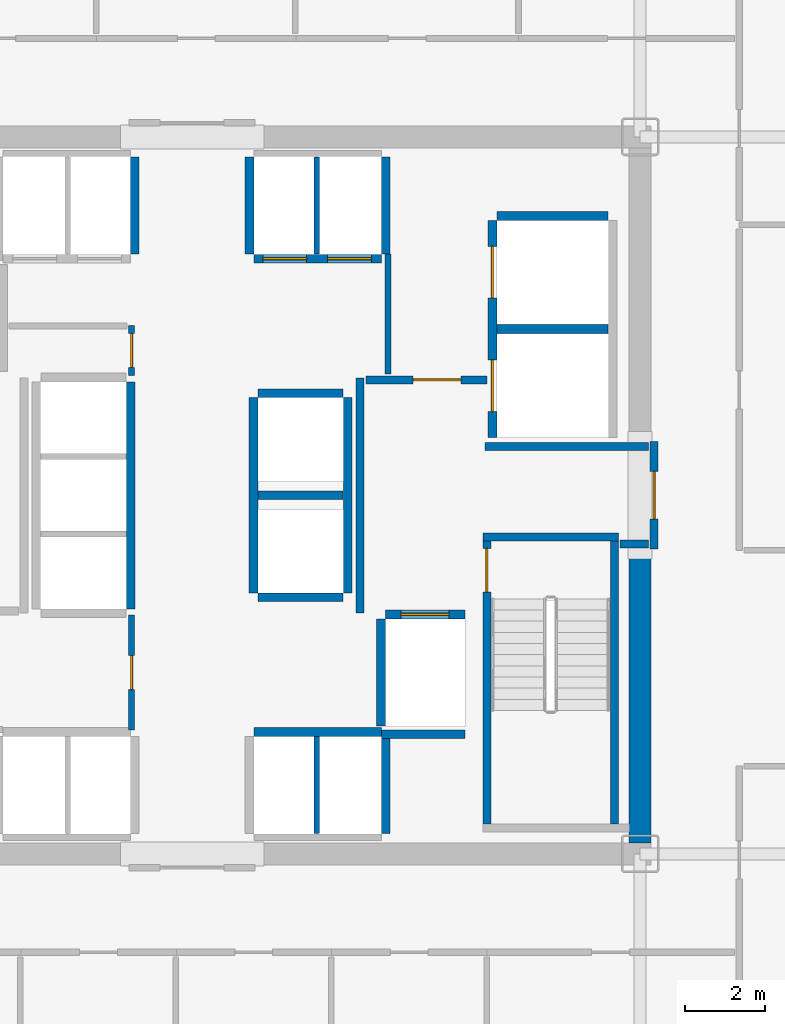
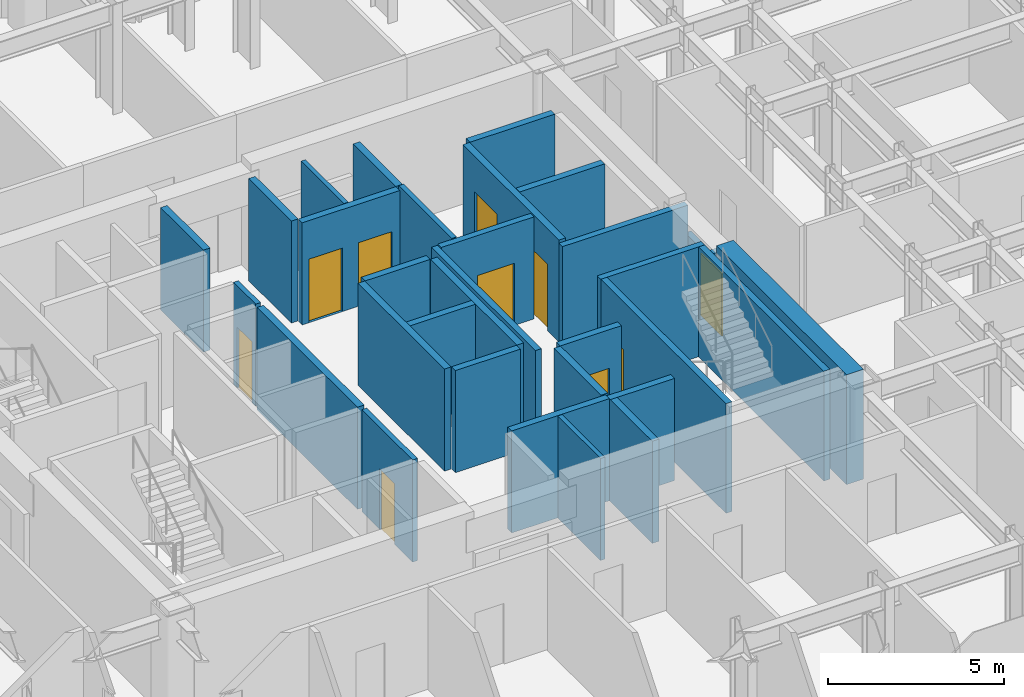
# One storey, part 22 of 25: 32 walls, 10 doors, 10 openings.
"""IFC4 building model written with IfcOpenShell, lengths in metres."""

from ifc_helpers import new_model, si_unit, direction, frame, frame_2d, origin, place, context, subcontext, project, spatial, rectangle, extrude, source, transform, mapped, material, layer, layer_set, type_object, element, fill, save


model = new_model("IFC4")

# Units and contexts
model_context = context("Model", 3, precision=1e-05, world=origin(), true_north=direction((0.0, 1.0)))
body_context = subcontext(model_context, "Body", "Model", "MODEL_VIEW")
ifc_project = project(units=[si_unit("LENGTHUNIT", "METRE"), si_unit("AREAUNIT", "SQUARE_METRE"), si_unit("VOLUMEUNIT", "CUBIC_METRE"), si_unit("PLANEANGLEUNIT", "RADIAN"), si_unit("MASSUNIT", "GRAM", prefix="KILO")], contexts=[model_context])

# Site, building, storey
site_placement = place(None, origin())
site = spatial("IfcSite", under=ifc_project, at=site_placement, CompositionType="ELEMENT")
building_placement = place(site_placement, origin())
building = spatial("IfcBuilding", under=site, at=building_placement, Name="Nefas-Gora Pilgrimage Tower", CompositionType="ELEMENT")
storey_placement = place(building_placement, frame((0.0, 0.0, 98.39990234375)))
storey = spatial("IfcBuildingStorey", under=building, at=storey_placement, Name="L23", CompositionType="ELEMENT", Elevation=98.39990234375)

# Walls
ifc_material_1 = material(Name="Concrete C60/75", Category="concrete")
ifc_layer_1 = layer(ifc_material_1, 0.550048828125)
ifc_layer_set_1 = layer_set([ifc_layer_1], Name="Concrete C60/75")
wall_type_1 = type_object("IfcWallType", Name="SW-CORE-550", PredefinedType="SHEAR", material=ifc_layer_set_1)
shared_shape_1 = source(origin(), body_context, "Body", "SweptSolid", [
    extrude(rectangle(XDim=7.375, YDim=0.550048828125, at=frame_2d((3.6875, 0.0))), origin(), (0.0, 0.0, 1.0), 3.800048828125),
])
wall_1_placement = place(storey_placement, frame((11.25, -8.72509765625, 0.0), z_axis=(0.0, 0.0, 1.0), x_axis=(0.0, 1.0, 0.0)))
element("IfcWall", 1, at=wall_1_placement, inside=storey, type_object=wall_type_1, Name="L23 Core Shear Wall E-South", PredefinedType="SHEAR", context=body_context, shape_type="MappedRepresentation", body=[
    mapped(shared_shape_1, transform((0.0, 0.0, 0.0), x_axis=(1.0, 0.0, 0.0), y_axis=(0.0, 1.0, 0.0), z_axis=(0.0, 0.0, 1.0), scale=1.0)),
])
ifc_material_2 = material(Name="Concrete C45/55", Category="concrete")
ifc_layer_2 = layer(ifc_material_2, 0.199951171875)
ifc_layer_set_2 = layer_set([ifc_layer_2], Name="Concrete C45/55")
wall_type_2 = type_object("IfcWallType", Name="IW-STAIR-200", PredefinedType="SOLIDWALL", material=ifc_layer_set_2)
shared_shape_2 = source(origin(), body_context, "Body", "SweptSolid", [
    extrude(rectangle(XDim=3.39990234375, YDim=0.199951171875, at=frame_2d((1.699951171875, 0.0))), origin(), (0.0, 0.0, 1.0), 3.800048828125),
])
wall_2_placement = place(storey_placement, frame((7.300048828125, -1.050048828125, 0.0), z_axis=(0.0, 0.0, 1.0), x_axis=(1.0, 0.0, 0.0)))
element("IfcWall", 2, at=wall_2_placement, inside=storey, type_object=wall_type_2, Name="L23 Stairwell Shear Wall ST-02-near", PredefinedType="SOLIDWALL", context=body_context, shape_type="MappedRepresentation", body=[
    mapped(shared_shape_2, transform((0.0, 0.0, 0.0), x_axis=(1.0, 0.0, 0.0), y_axis=(0.0, 1.0, 0.0), z_axis=(0.0, 0.0, 1.0), scale=1.0)),
])

# Wall, opening, door
shared_shape_3 = source(origin(), body_context, "Body", "SweptSolid", [
    extrude(rectangle(XDim=7.10009765625, YDim=0.199951171875, at=frame_2d((3.550048828125, 0.0))), origin(), (0.0, 0.0, 1.0), 3.800048828125),
])
wall_3_placement = place(storey_placement, frame((7.39990234375, -1.14990234375, 0.0), z_axis=(0.0, 0.0, 1.0), x_axis=(0.0, -1.0, 0.0)))
wall_3 = element("IfcWall", 3, at=wall_3_placement, inside=storey, type_object=wall_type_2, Name="L23 Stairwell Shear Wall ST-02-left", PredefinedType="SOLIDWALL", context=body_context, shape_type="MappedRepresentation", body=[
    mapped(shared_shape_3, transform((0.0, 0.0, 0.0), x_axis=(1.0, 0.0, 0.0), y_axis=(0.0, 1.0, 0.0), z_axis=(0.0, 0.0, 1.0), scale=1.0)),
])
opening_1_placement = place(wall_3_placement, frame((0.179931640625, 0.0, 0.0)))
opening_1 = element("IfcOpeningElement", 4, at=opening_1_placement, cuts=wall_3, Name="Opening ID-ST1", PredefinedType="OPENING", context=body_context, shape_type="SweptSolid", body=[
    extrude(rectangle(XDim=1.10009765625, YDim=2.14990234375, at=frame_2d((0.550048828125, 1.074951171875))), frame((0.0, 0.10986328125, 0.0), z_axis=(0.0, -1.0, 0.0), x_axis=(1.0, 0.0, 0.0)), (0.0, 0.0, 1.0), 0.219970703125),
])
ifc_material_3 = material(Name="Painted galvanised steel fire stair door", Category="steel")
door_type_1 = type_object("IfcDoorType", Name="DR-INT-STAIR-1100", OperationType="NOTDEFINED", PredefinedType="DOOR", material=ifc_material_3)
shared_shape_4 = source(origin(), body_context, "Body", "SweptSolid", [
    extrude(rectangle(XDim=1.10009765625, YDim=2.14990234375, at=frame_2d((0.550048828125, 1.074951171875))), frame((0.0, 0.02490234375, 0.0), z_axis=(0.0, -1.0, 0.0), x_axis=(1.0, 0.0, 0.0)), (0.0, 0.0, 1.0), 0.050048828125),
])
door_1_placement = place(opening_1_placement, origin())
door_1 = element("IfcDoor", 5, at=door_1_placement, inside=storey, type_object=door_type_1, Name="L23 Protected Exit Stair Door ST-02", OperationType="SINGLE_SWING_RIGHT", OverallHeight=2.14990234375, OverallWidth=1.10009765625, PredefinedType="DOOR", context=body_context, shape_type="MappedRepresentation", body=[
    mapped(shared_shape_4, transform((0.0, 0.0, 0.0), x_axis=(1.0, 0.0, 0.0), y_axis=(0.0, 1.0, 0.0), z_axis=(0.0, 0.0, 1.0), scale=1.0)),
])
fill(opening_1, door_1)

# Wall
wall_4_placement = place(storey_placement, frame((10.60009765625, -1.14990234375, 0.0), z_axis=(0.0, 0.0, 1.0), x_axis=(0.0, -1.0, 0.0)))
element("IfcWall", 6, at=wall_4_placement, inside=storey, type_object=wall_type_2, Name="L23 Stairwell Shear Wall ST-02-right", PredefinedType="SOLIDWALL", context=body_context, shape_type="MappedRepresentation", body=[
    mapped(shared_shape_3, transform((0.0, 0.0, 0.0), x_axis=(1.0, 0.0, 0.0), y_axis=(0.0, 1.0, 0.0), z_axis=(0.0, 0.0, 1.0), scale=1.0)),
])

# Wall, opening, door
ifc_material_4 = material(Name="Concrete C40/50", Category="concrete")
ifc_layer_3 = layer(ifc_material_4, 0.219970703125)
ifc_layer_set_3 = layer_set([ifc_layer_3], Name="Concrete C40/50")
wall_type_3 = type_object("IfcWallType", Name="IW-SHAFT-220", PredefinedType="SOLIDWALL", material=ifc_layer_set_3)
shared_shape_5 = source(origin(), body_context, "Body", "SweptSolid", [
    extrude(rectangle(XDim=2.0, YDim=0.219970703125, at=frame_2d((1.0, 0.0))), origin(), (0.0, 0.0, 1.0), 3.53515625),
])
wall_5_placement = place(storey_placement, frame((6.85009765625, -2.989990234375, 0.0), z_axis=(0.0, 0.0, 1.0), x_axis=(-1.0, 0.0, 0.0)))
wall_5 = element("IfcWall", 7, at=wall_5_placement, inside=storey, type_object=wall_type_3, Name="L23 Hoistway Wall FFL-02-N", PredefinedType="SOLIDWALL", context=body_context, shape_type="MappedRepresentation", body=[
    mapped(shared_shape_5, transform((0.0, 0.0, 0.0), x_axis=(1.0, 0.0, 0.0), y_axis=(0.0, 1.0, 0.0), z_axis=(0.0, 0.0, 1.0), scale=1.0)),
])
opening_2_placement = place(wall_5_placement, frame((0.39990234375, 0.0, 0.0)))
opening_2 = element("IfcOpeningElement", 8, at=opening_2_placement, cuts=wall_5, Name="Opening LD-FF", PredefinedType="OPENING", context=body_context, shape_type="SweptSolid", body=[
    extrude(rectangle(XDim=1.199951171875, YDim=2.199951171875, at=frame_2d((0.60009765625, 1.10009765625))), frame((0.0, 0.119873046875, 0.0), z_axis=(0.0, -1.0, 0.0), x_axis=(1.0, 0.0, 0.0)), (0.0, 0.0, 1.0), 0.239990234375),
])
ifc_material_5 = material(Name="Fire-service sliding lift landing door")
door_type_2 = type_object("IfcDoorType", Name="DR-LIFT-FSAE-1200", OperationType="SLIDING_TO_LEFT", PredefinedType="DOOR", material=ifc_material_5)
shared_shape_6 = source(origin(), body_context, "Body", "SweptSolid", [
    extrude(rectangle(XDim=1.199951171875, YDim=2.199951171875, at=frame_2d((0.60009765625, 1.10009765625))), frame((0.0, 0.02490234375, 0.0), z_axis=(0.0, -1.0, 0.0), x_axis=(1.0, 0.0, 0.0)), (0.0, 0.0, 1.0), 0.050048828125),
])
door_2_placement = place(opening_2_placement, origin())
door_2 = element("IfcDoor", 9, at=door_2_placement, inside=storey, type_object=door_type_2, Name="L23 Sliding Lift Landing Door FFL-02", OperationType="SLIDING_TO_LEFT", OverallHeight=2.199951171875, OverallWidth=1.199951171875, PredefinedType="DOOR", context=body_context, shape_type="MappedRepresentation", body=[
    mapped(shared_shape_6, transform((0.0, 0.0, 0.0), x_axis=(1.0, 0.0, 0.0), y_axis=(0.0, 1.0, 0.0), z_axis=(0.0, 0.0, 1.0), scale=1.0)),
])
fill(opening_2, door_2)

# Wall
shared_shape_7 = source(origin(), body_context, "Body", "SweptSolid", [
    extrude(rectangle(XDim=2.679931640625, YDim=0.219970703125, at=frame_2d((1.33984375, 0.0))), origin(), (0.0, 0.0, 1.0), 3.53515625),
])
wall_6_placement = place(storey_placement, frame((4.739990234375, -3.110107421875, 0.0), z_axis=(0.0, 0.0, 1.0), x_axis=(0.0, -1.0, 0.0)))
element("IfcWall", 10, at=wall_6_placement, inside=storey, type_object=wall_type_3, Name="L23 Hoistway Wall FFL-02-W", PredefinedType="SOLIDWALL", context=body_context, shape_type="MappedRepresentation", body=[
    mapped(shared_shape_7, transform((0.0, 0.0, 0.0), x_axis=(1.0, 0.0, 0.0), y_axis=(0.0, 1.0, 0.0), z_axis=(0.0, 0.0, 1.0), scale=1.0)),
])

# Wall, openings, doors
shared_shape_8 = source(origin(), body_context, "Body", "SweptSolid", [
    extrude(rectangle(XDim=5.449951171875, YDim=0.219970703125, at=frame_2d((2.72509765625, 0.0))), origin(), (0.0, 0.0, 1.0), 3.53515625),
])
wall_7_placement = place(storey_placement, frame((7.5400390625, 6.89990234375, 0.0), z_axis=(0.0, 0.0, 1.0), x_axis=(0.0, -1.0, 0.0)))
wall_7 = element("IfcWall", 11, at=wall_7_placement, inside=storey, type_object=wall_type_3, Name="L23 Hoistway Wall SL-01-02-W", PredefinedType="SOLIDWALL", context=body_context, shape_type="MappedRepresentation", body=[
    mapped(shared_shape_8, transform((0.0, 0.0, 0.0), x_axis=(1.0, 0.0, 0.0), y_axis=(0.0, 1.0, 0.0), z_axis=(0.0, 0.0, 1.0), scale=1.0)),
])
opening_3_placement = place(wall_7_placement, frame((3.5, 0.0, 0.0)))
opening_3 = element("IfcOpeningElement", 12, at=opening_3_placement, cuts=wall_7, Name="Opening LD-SV", PredefinedType="OPENING", context=body_context, shape_type="SweptSolid", body=[
    extrude(rectangle(XDim=1.300048828125, YDim=2.300048828125, at=frame_2d((0.64990234375, 1.14990234375))), frame((0.0, 0.119873046875, 0.0), z_axis=(0.0, -1.0, 0.0), x_axis=(1.0, 0.0, 0.0)), (0.0, 0.0, 1.0), 0.239990234375),
])
opening_4_placement = place(wall_7_placement, frame((0.64990234375, 0.0, 0.0)))
opening_4 = element("IfcOpeningElement", 13, at=opening_4_placement, cuts=wall_7, Name="Opening LD-SV", PredefinedType="OPENING", context=body_context, shape_type="SweptSolid", body=[
    extrude(rectangle(XDim=1.300048828125, YDim=2.300048828125, at=frame_2d((0.64990234375, 1.14990234375))), frame((0.0, 0.119873046875, 0.0), z_axis=(0.0, -1.0, 0.0), x_axis=(1.0, 0.0, 0.0)), (0.0, 0.0, 1.0), 0.239990234375),
])
ifc_material_6 = material(Name="Heavy goods sliding lift landing door")
door_type_3 = type_object("IfcDoorType", Name="DR-LIFT-SERV-1300", OperationType="SLIDING_TO_RIGHT", PredefinedType="DOOR", material=ifc_material_6)
shared_shape_9 = source(origin(), body_context, "Body", "SweptSolid", [
    extrude(rectangle(XDim=1.300048828125, YDim=2.300048828125, at=frame_2d((0.64990234375, 1.14990234375))), frame((0.0, 0.02490234375, 0.0), z_axis=(0.0, -1.0, 0.0), x_axis=(1.0, 0.0, 0.0)), (0.0, 0.0, 1.0), 0.050048828125),
])
door_3_placement = place(opening_3_placement, origin())
door_3 = element("IfcDoor", 14, at=door_3_placement, inside=storey, type_object=door_type_3, Name="L23 Sliding Lift Landing Door SL-01", OperationType="SLIDING_TO_RIGHT", OverallHeight=2.300048828125, OverallWidth=1.300048828125, PredefinedType="DOOR", context=body_context, shape_type="MappedRepresentation", body=[
    mapped(shared_shape_9, transform((0.0, 0.0, 0.0), x_axis=(1.0, 0.0, 0.0), y_axis=(0.0, 1.0, 0.0), z_axis=(0.0, 0.0, 1.0), scale=1.0)),
])
fill(opening_3, door_3)
door_4_placement = place(opening_4_placement, origin())
door_4 = element("IfcDoor", 15, at=door_4_placement, inside=storey, type_object=door_type_3, Name="L23 Sliding Lift Landing Door SL-02", OperationType="SLIDING_TO_RIGHT", OverallHeight=2.300048828125, OverallWidth=1.300048828125, PredefinedType="DOOR", context=body_context, shape_type="MappedRepresentation", body=[
    mapped(shared_shape_9, transform((0.0, 0.0, 0.0), x_axis=(1.0, 0.0, 0.0), y_axis=(0.0, 1.0, 0.0), z_axis=(0.0, 0.0, 1.0), scale=1.0)),
])
fill(opening_4, door_4)

# Walls
shared_shape_10 = source(origin(), body_context, "Body", "SweptSolid", [
    extrude(rectangle(XDim=2.780029296875, YDim=0.219970703125, at=frame_2d((1.39013671875, 0.0))), origin(), (0.0, 0.0, 1.0), 3.53515625),
])
for number, where, z_axis, x_axis, name in (
    (16, (7.659912109375, 4.175048828125, 0.0), (0.0, 0.0, 1.0), (1.0, 0.0, 0.0), "L23 Hoistway Wall SL-01-02-DIV"),
    (17, (10.43994140625, 7.010009765625, 0.0), (0.0, 0.0, 1.0), (-1.0, 0.0, 0.0), "L23 Hoistway Wall SL-02-N"),
):
    element("IfcWall", number, at=place(storey_placement, frame(where, z_axis=z_axis, x_axis=x_axis)), inside=storey, type_object=wall_type_3, Name=name, PredefinedType="SOLIDWALL", context=body_context, shape_type="MappedRepresentation", body=[
        mapped(shared_shape_10, transform((0.0, 0.0, 0.0), x_axis=(1.0, 0.0, 0.0), y_axis=(0.0, 1.0, 0.0), z_axis=(0.0, 0.0, 1.0), scale=1.0)),
    ])

# Wall, openings, doors
shared_shape_11 = source(origin(), body_context, "Body", "SweptSolid", [
    extrude(rectangle(XDim=3.199951171875, YDim=0.219970703125, at=frame_2d((1.60009765625, 0.0))), origin(), (0.0, 0.0, 1.0), 3.53515625),
])
wall_8_placement = place(storey_placement, frame((1.550048828125, 5.93994140625, 0.0), z_axis=(0.0, 0.0, 1.0), x_axis=(1.0, 0.0, 0.0)))
wall_8 = element("IfcWall", 18, at=wall_8_placement, inside=storey, type_object=wall_type_3, Name="L23 Hoistway Wall PL1-E-S", PredefinedType="SOLIDWALL", context=body_context, shape_type="MappedRepresentation", body=[
    mapped(shared_shape_11, transform((0.0, 0.0, 0.0), x_axis=(1.0, 0.0, 0.0), y_axis=(0.0, 1.0, 0.0), z_axis=(0.0, 0.0, 1.0), scale=1.0)),
])
opening_5_placement = place(wall_8_placement, frame((0.22509765625, 0.0, 0.0)))
opening_5 = element("IfcOpeningElement", 19, at=opening_5_placement, cuts=wall_8, Name="Opening LD-01", PredefinedType="OPENING", context=body_context, shape_type="SweptSolid", body=[
    extrude(rectangle(XDim=1.10009765625, YDim=2.199951171875, at=frame_2d((0.550048828125, 1.10009765625))), frame((0.0, 0.119873046875, 0.0), z_axis=(0.0, -1.0, 0.0), x_axis=(1.0, 0.0, 0.0)), (0.0, 0.0, 1.0), 0.239990234375),
])
opening_6_placement = place(wall_8_placement, frame((1.85009765625, 0.0, 0.0)))
opening_6 = element("IfcOpeningElement", 20, at=opening_6_placement, cuts=wall_8, Name="Opening LD-01", PredefinedType="OPENING", context=body_context, shape_type="SweptSolid", body=[
    extrude(rectangle(XDim=1.10009765625, YDim=2.199951171875, at=frame_2d((0.550048828125, 1.10009765625))), frame((0.0, 0.119873046875, 0.0), z_axis=(0.0, -1.0, 0.0), x_axis=(1.0, 0.0, 0.0)), (0.0, 0.0, 1.0), 0.239990234375),
])
ifc_material_7 = material(Name="Brushed stainless sliding lift landing door")
door_type_4 = type_object("IfcDoorType", Name="DR-LIFT-PASS-1100", OperationType="DOUBLE_DOOR_SLIDING", PredefinedType="DOOR", material=ifc_material_7)
shared_shape_12 = source(origin(), body_context, "Body", "SweptSolid", [
    extrude(rectangle(XDim=1.10009765625, YDim=2.199951171875, at=frame_2d((0.550048828125, 1.10009765625))), frame((0.0, 0.02490234375, 0.0), z_axis=(0.0, -1.0, 0.0), x_axis=(1.0, 0.0, 0.0)), (0.0, 0.0, 1.0), 0.050048828125),
])
door_5_placement = place(opening_5_placement, origin())
door_5 = element("IfcDoor", 21, at=door_5_placement, inside=storey, type_object=door_type_4, Name="L23 Sliding Lift Landing Door PL1-03", OperationType="DOUBLE_DOOR_SLIDING", OverallHeight=2.199951171875, OverallWidth=1.10009765625, PredefinedType="DOOR", context=body_context, shape_type="MappedRepresentation", body=[
    mapped(shared_shape_12, transform((0.0, 0.0, 0.0), x_axis=(1.0, 0.0, 0.0), y_axis=(0.0, 1.0, 0.0), z_axis=(0.0, 0.0, 1.0), scale=1.0)),
])
fill(opening_5, door_5)
door_6_placement = place(opening_6_placement, origin())
door_6 = element("IfcDoor", 22, at=door_6_placement, inside=storey, type_object=door_type_4, Name="L23 Sliding Lift Landing Door PL1-04", OperationType="DOUBLE_DOOR_SLIDING", OverallHeight=2.199951171875, OverallWidth=1.10009765625, PredefinedType="DOOR", context=body_context, shape_type="MappedRepresentation", body=[
    mapped(shared_shape_12, transform((0.0, 0.0, 0.0), x_axis=(1.0, 0.0, 0.0), y_axis=(0.0, 1.0, 0.0), z_axis=(0.0, 0.0, 1.0), scale=1.0)),
])
fill(opening_6, door_6)

# Walls
wall_9_placement = place(storey_placement, frame((4.75, -5.93994140625, 0.0), z_axis=(0.0, 0.0, 1.0), x_axis=(-1.0, 0.0, 0.0)))
element("IfcWall", 23, at=wall_9_placement, inside=storey, type_object=wall_type_3, Name="L23 Hoistway Wall PL2-E-N", PredefinedType="SOLIDWALL", context=body_context, shape_type="MappedRepresentation", body=[
    mapped(shared_shape_11, transform((0.0, 0.0, 0.0), x_axis=(1.0, 0.0, 0.0), y_axis=(0.0, 1.0, 0.0), z_axis=(0.0, 0.0, 1.0), scale=1.0)),
])
shared_shape_13 = source(origin(), body_context, "Body", "SweptSolid", [
    extrude(rectangle(XDim=2.429931640625, YDim=0.219970703125, at=frame_2d((1.21484375, 0.0))), origin(), (0.0, 0.0, 1.0), 3.53515625),
])
for number, where, z_axis, x_axis, name in (
    (24, (-1.43994140625, 6.06005859375, 0.0), (0.0, 0.0, 1.0), (0.0, 1.0, 0.0), "L23 Hoistway Wall PL1-W-E"),
    (25, (1.43994140625, 8.489990234375, 0.0), (0.0, 0.0, 1.0), (0.0, -1.0, 0.0), "L23 Hoistway Wall PL1-E-W"),
    (26, (4.860107421875, 6.06005859375, 0.0), (0.0, 0.0, 1.0), (0.0, 1.0, 0.0), "L23 Hoistway Wall PL1-E-E"),
    (27, (4.860107421875, -8.489990234375, 0.0), (0.0, 0.0, 1.0), (0.0, 1.0, 0.0), "L23 Hoistway Wall PL2-E-E"),
):
    element("IfcWall", number, at=place(storey_placement, frame(where, z_axis=z_axis, x_axis=x_axis)), inside=storey, type_object=wall_type_3, Name=name, PredefinedType="SOLIDWALL", context=body_context, shape_type="MappedRepresentation", body=[
        mapped(shared_shape_13, transform((0.0, 0.0, 0.0), x_axis=(1.0, 0.0, 0.0), y_axis=(0.0, 1.0, 0.0), z_axis=(0.0, 0.0, 1.0), scale=1.0)),
    ])
ifc_material_8 = material(Name="Gypsum twin-stud partition")
ifc_layer_4 = layer(ifc_material_8, 0.139892578125)
ifc_layer_set_4 = layer_set([ifc_layer_4], Name="Gypsum twin-stud partition")
wall_type_4 = type_object("IfcWallType", Name="IW-UNIT-140", PredefinedType="PARTITIONING", material=ifc_layer_set_4)
shared_shape_14 = source(origin(), body_context, "Body", "SweptSolid", [
    extrude(rectangle(XDim=2.429931640625, YDim=0.139892578125, at=frame_2d((1.21484375, 0.0))), origin(), (0.0, 0.0, 1.0), 3.53515625),
])
for number, where, z_axis, x_axis, name in (
    (28, (3.125, 6.06005859375, 0.0), (0.0, 0.0, 1.0), (0.0, 1.0, 0.0), "L23 Hoistway Wall PL1-E-DIV"),
    (29, (3.125, -8.489990234375, 0.0), (0.0, 0.0, 1.0), (0.0, 1.0, 0.0), "L23 Hoistway Wall PL2-E-DIV"),
):
    element("IfcWall", number, at=place(storey_placement, frame(where, z_axis=z_axis, x_axis=x_axis)), inside=storey, type_object=wall_type_4, Name=name, PredefinedType="PARTITIONING", context=body_context, shape_type="MappedRepresentation", body=[
        mapped(shared_shape_14, transform((0.0, 0.0, 0.0), x_axis=(1.0, 0.0, 0.0), y_axis=(0.0, 1.0, 0.0), z_axis=(0.0, 0.0, 1.0), scale=1.0)),
    ])
shared_shape_15 = source(origin(), body_context, "Body", "SweptSolid", [
    extrude(rectangle(XDim=5.7001953125, YDim=0.219970703125, at=frame_2d((2.85009765625, 0.0))), origin(), (0.0, 0.0, 1.0), 3.53515625),
])
wall_10_placement = place(storey_placement, frame((-1.5400390625, -2.85009765625, 0.0), z_axis=(0.0, 0.0, 1.0), x_axis=(0.0, 1.0, 0.0)))
element("IfcWall", 30, at=wall_10_placement, inside=storey, type_object=wall_type_3, Name="L23 Hoistway Wall PL3-01-03-E", PredefinedType="SOLIDWALL", context=body_context, shape_type="MappedRepresentation", body=[
    mapped(shared_shape_15, transform((0.0, 0.0, 0.0), x_axis=(1.0, 0.0, 0.0), y_axis=(0.0, 1.0, 0.0), z_axis=(0.0, 0.0, 1.0), scale=1.0)),
])
shared_shape_16 = source(origin(), body_context, "Body", "SweptSolid", [
    extrude(rectangle(XDim=2.130126953125, YDim=0.219970703125, at=frame_2d((1.06494140625, 0.0))), origin(), (0.0, 0.0, 1.0), 3.53515625),
])
for number, where, z_axis, x_axis, name in (
    (31, (1.659912109375, -2.56005859375, 0.0), (0.0, 0.0, 1.0), (1.0, 0.0, 0.0), "L23 Hoistway Wall OBS-01-S"),
    (32, (1.659912109375, 0.0, 0.0), (0.0, 0.0, 1.0), (1.0, 0.0, 0.0), "L23 Hoistway Wall OBS-01-02-DIV"),
    (33, (3.7900390625, 2.56005859375, 0.0), (0.0, 0.0, 1.0), (-1.0, 0.0, 0.0), "L23 Hoistway Wall OBS-02-N"),
):
    element("IfcWall", number, at=place(storey_placement, frame(where, z_axis=z_axis, x_axis=x_axis)), inside=storey, type_object=wall_type_3, Name=name, PredefinedType="SOLIDWALL", context=body_context, shape_type="MappedRepresentation", body=[
        mapped(shared_shape_16, transform((0.0, 0.0, 0.0), x_axis=(1.0, 0.0, 0.0), y_axis=(0.0, 1.0, 0.0), z_axis=(0.0, 0.0, 1.0), scale=1.0)),
    ])
shared_shape_17 = source(origin(), body_context, "Body", "SweptSolid", [
    extrude(rectangle(XDim=4.89990234375, YDim=0.219970703125, at=frame_2d((2.449951171875, 0.0))), origin(), (0.0, 0.0, 1.0), 3.53515625),
])
for number, where, z_axis, x_axis, name in (
    (34, (1.5400390625, 2.449951171875, 0.0), (0.0, 0.0, 1.0), (0.0, -1.0, 0.0), "L23 Hoistway Wall OBS-01-02-W"),
    (35, (3.909912109375, -2.449951171875, 0.0), (0.0, 0.0, 1.0), (0.0, 1.0, 0.0), "L23 Hoistway Wall OBS-01-02-E"),
):
    element("IfcWall", number, at=place(storey_placement, frame(where, z_axis=z_axis, x_axis=x_axis)), inside=storey, type_object=wall_type_3, Name=name, PredefinedType="SOLIDWALL", context=body_context, shape_type="MappedRepresentation", body=[
        mapped(shared_shape_17, transform((0.0, 0.0, 0.0), x_axis=(1.0, 0.0, 0.0), y_axis=(0.0, 1.0, 0.0), z_axis=(0.0, 0.0, 1.0), scale=1.0)),
    ])

# Wall, opening, door
ifc_material_9 = material(Name="Gypsum fire-rated shaftwall")
ifc_layer_5 = layer(ifc_material_9, 0.199951171875)
ifc_layer_set_5 = layer_set([ifc_layer_5], Name="Gypsum fire-rated shaftwall")
wall_type_5 = type_object("IfcWallType", Name="IW-FFLOB-200", PredefinedType="PARTITIONING", material=ifc_layer_set_5)
shared_shape_18 = source(origin(), body_context, "Body", "SweptSolid", [
    extrude(rectangle(XDim=2.7001953125, YDim=0.199951171875, at=frame_2d((1.35009765625, 0.0))), origin(), (0.0, 0.0, 1.0), 2.425048828125),
])
wall_11_placement = place(storey_placement, frame((11.60009765625, -1.35009765625, 0.0), z_axis=(0.0, 0.0, 1.0), x_axis=(0.0, 1.0, 0.0)))
wall_11 = element("IfcWall", 36, at=wall_11_placement, inside=storey, type_object=wall_type_5, Name="L23 FF Lobby East Portal Wall 8", PredefinedType="PARTITIONING", context=body_context, shape_type="MappedRepresentation", body=[
    mapped(shared_shape_18, transform((0.0, 0.0, 0.0), x_axis=(1.0, 0.0, 0.0), y_axis=(0.0, 1.0, 0.0), z_axis=(0.0, 0.0, 1.0), scale=1.0)),
])
opening_7_placement = place(wall_11_placement, frame((0.75, 0.0, 0.0)))
opening_7 = element("IfcOpeningElement", 37, at=opening_7_placement, cuts=wall_11, Name="Opening ID-FF1", PredefinedType="OPENING", context=body_context, shape_type="SweptSolid", body=[
    extrude(rectangle(XDim=1.199951171875, YDim=2.14990234375, at=frame_2d((0.60009765625, 1.074951171875))), frame((0.0, 0.10986328125, 0.0), z_axis=(0.0, -1.0, 0.0), x_axis=(1.0, 0.0, 0.0)), (0.0, 0.0, 1.0), 0.219970703125),
])
ifc_material_10 = material(Name="Smoke-sealed steel firefighting lobby door", Category="steel")
door_type_5 = type_object("IfcDoorType", Name="DR-INT-FFLOB-1200", OperationType="NOTDEFINED", PredefinedType="DOOR", material=ifc_material_10)
shared_shape_19 = source(origin(), body_context, "Body", "SweptSolid", [
    extrude(rectangle(XDim=1.199951171875, YDim=2.14990234375, at=frame_2d((0.60009765625, 1.074951171875))), frame((0.0, 0.02490234375, 0.0), z_axis=(0.0, -1.0, 0.0), x_axis=(1.0, 0.0, 0.0)), (0.0, 0.0, 1.0), 0.050048828125),
])
door_7_placement = place(opening_7_placement, origin())
door_7 = element("IfcDoor", 38, at=door_7_placement, inside=storey, type_object=door_type_5, Name="L23 FF Lobby East Portal Door 2", OperationType="SINGLE_SWING_LEFT", OverallHeight=2.14990234375, OverallWidth=1.199951171875, PredefinedType="DOOR", context=body_context, shape_type="MappedRepresentation", body=[
    mapped(shared_shape_19, transform((0.0, 0.0, 0.0), x_axis=(1.0, 0.0, 0.0), y_axis=(0.0, 1.0, 0.0), z_axis=(0.0, 0.0, 1.0), scale=1.0)),
])
fill(opening_7, door_7)

# Walls
shared_shape_20 = source(origin(), body_context, "Body", "SweptSolid", [
    extrude(rectangle(XDim=2.09521484375, YDim=0.219970703125, at=frame_2d((1.047607421875, 0.0))), origin(), (0.0, 0.0, 1.0), 3.53515625),
])
wall_12_placement = place(storey_placement, frame((4.7548828125, -6.0, 0.0), z_axis=(0.0, 0.0, 1.0), x_axis=(1.0, 0.0, 0.0)))
element("IfcWall", 39, at=wall_12_placement, inside=storey, type_object=wall_type_3, Name="L23 Riser Shaft Wall 2", PredefinedType="SOLIDWALL", context=body_context, shape_type="MappedRepresentation", body=[
    mapped(shared_shape_20, transform((0.0, 0.0, 0.0), x_axis=(1.0, 0.0, 0.0), y_axis=(0.0, 1.0, 0.0), z_axis=(0.0, 0.0, 1.0), scale=1.0)),
])
shared_shape_21 = source(origin(), body_context, "Body", "SweptSolid", [
    extrude(rectangle(XDim=5.89990234375, YDim=0.199951171875, at=frame_2d((2.949951171875, 0.0))), origin(), (0.0, 0.0, 1.0), 3.53515625),
])
wall_13_placement = place(storey_placement, frame((4.219970703125, -2.949951171875, 0.0), z_axis=(0.0, 0.0, 1.0), x_axis=(0.0, 1.0, 0.0)))
element("IfcWall", 40, at=wall_13_placement, inside=storey, type_object=wall_type_5, Name="L23 FF Lobby East Inner Wall Wall 9", PredefinedType="PARTITIONING", context=body_context, shape_type="MappedRepresentation", body=[
    mapped(shared_shape_21, transform((0.0, 0.0, 0.0), x_axis=(1.0, 0.0, 0.0), y_axis=(0.0, 1.0, 0.0), z_axis=(0.0, 0.0, 1.0), scale=1.0)),
])
shared_shape_22 = source(origin(), body_context, "Body", "SweptSolid", [
    extrude(rectangle(XDim=0.719970703125, YDim=0.199951171875, at=frame_2d((0.35986328125, 0.0))), origin(), (0.0, 0.0, 1.0), 3.53515625),
])
wall_14_placement = place(storey_placement, frame((10.739990234375, -1.219970703125, 0.0), z_axis=(0.0, 0.0, 1.0), x_axis=(1.0, 0.0, 0.0)))
element("IfcWall", 41, at=wall_14_placement, inside=storey, type_object=wall_type_5, Name="L23 FF Lobby East Throat S Wall 12", PredefinedType="PARTITIONING", context=body_context, shape_type="MappedRepresentation", body=[
    mapped(shared_shape_22, transform((0.0, 0.0, 0.0), x_axis=(1.0, 0.0, 0.0), y_axis=(0.0, 1.0, 0.0), z_axis=(0.0, 0.0, 1.0), scale=1.0)),
])

# Wall, opening, door
shared_shape_23 = source(origin(), body_context, "Body", "SweptSolid", [
    extrude(rectangle(XDim=3.039794921875, YDim=0.199951171875, at=frame_2d((1.52001953125, 0.0))), origin(), (0.0, 0.0, 1.0), 3.53515625),
])
wall_15_placement = place(storey_placement, frame((4.360107421875, 2.89990234375, 0.0), z_axis=(0.0, 0.0, 1.0), x_axis=(1.0, 0.0, 0.0)))
wall_15 = element("IfcWall", 42, at=wall_15_placement, inside=storey, type_object=wall_type_5, Name="L23 FF Lobby East North Wall Wall 10", PredefinedType="PARTITIONING", context=body_context, shape_type="MappedRepresentation", body=[
    mapped(shared_shape_23, transform((0.0, 0.0, 0.0), x_axis=(1.0, 0.0, 0.0), y_axis=(0.0, 1.0, 0.0), z_axis=(0.0, 0.0, 1.0), scale=1.0)),
])
opening_8_placement = place(wall_15_placement, frame((1.18994140625, 0.0, 0.0)))
opening_8 = element("IfcOpeningElement", 43, at=opening_8_placement, cuts=wall_15, Name="Opening ID-PL1", PredefinedType="OPENING", context=body_context, shape_type="SweptSolid", body=[
    extrude(rectangle(XDim=1.199951171875, YDim=2.14990234375, at=frame_2d((0.60009765625, 1.074951171875))), frame((0.0, 0.10986328125, 0.0), z_axis=(0.0, -1.0, 0.0), x_axis=(1.0, 0.0, 0.0)), (0.0, 0.0, 1.0), 0.219970703125),
])
ifc_material_11 = material(Name="Heavy-duty steel plant room fire door", Category="steel")
door_type_6 = type_object("IfcDoorType", Name="DR-INT-PLANT-1200", OperationType="NOTDEFINED", PredefinedType="DOOR", material=ifc_material_11)
door_8_placement = place(opening_8_placement, origin())
door_8 = element("IfcDoor", 44, at=door_8_placement, inside=storey, type_object=door_type_6, Name="L23 Service Lift Lobby Door Door 3", OperationType="SINGLE_SWING_RIGHT", OverallHeight=2.14990234375, OverallWidth=1.199951171875, PredefinedType="DOOR", context=body_context, shape_type="MappedRepresentation", body=[
    mapped(shared_shape_19, transform((0.0, 0.0, 0.0), x_axis=(1.0, 0.0, 0.0), y_axis=(0.0, 1.0, 0.0), z_axis=(0.0, 0.0, 1.0), scale=1.0)),
])
fill(opening_8, door_8)

# Walls
shared_shape_24 = source(origin(), body_context, "Body", "SweptSolid", [
    extrude(rectangle(XDim=4.10986328125, YDim=0.199951171875, at=frame_2d((2.054931640625, 0.0))), origin(), (0.0, 0.0, 1.0), 3.53515625),
])
wall_16_placement = place(storey_placement, frame((7.35009765625, 1.219970703125, 0.0), z_axis=(0.0, 0.0, 1.0), x_axis=(1.0, 0.0, 0.0)))
element("IfcWall", 45, at=wall_16_placement, inside=storey, type_object=wall_type_5, Name="L23 FF Lobby East Throat N Wall 11", PredefinedType="PARTITIONING", context=body_context, shape_type="MappedRepresentation", body=[
    mapped(shared_shape_24, transform((0.0, 0.0, 0.0), x_axis=(1.0, 0.0, 0.0), y_axis=(0.0, 1.0, 0.0), z_axis=(0.0, 0.0, 1.0), scale=1.0)),
])
ifc_material_12 = material(Name="Gypsum acoustic stud partition")
ifc_layer_6 = layer(ifc_material_12, 0.159912109375)
ifc_layer_set_6 = layer_set([ifc_layer_6], Name="Gypsum acoustic stud partition")
wall_type_6 = type_object("IfcWallType", Name="IW-CORR-160", PredefinedType="PARTITIONING", material=ifc_layer_set_6)
shared_shape_25 = source(origin(), body_context, "Body", "SweptSolid", [
    extrude(rectangle(XDim=3.014892578125, YDim=0.159912109375, at=frame_2d((1.50732421875, 0.0))), origin(), (0.0, 0.0, 1.0), 3.53515625),
])
wall_17_placement = place(storey_placement, frame((4.919921875, 3.0400390625, 0.0), z_axis=(0.0, 0.0, 1.0), x_axis=(0.0, 1.0, 0.0)))
element("IfcWall", 46, at=wall_17_placement, inside=storey, type_object=wall_type_6, Name="L23 Service Lift Lobby West Wall Wall 15", PredefinedType="PARTITIONING", context=body_context, shape_type="MappedRepresentation", body=[
    mapped(shared_shape_25, transform((0.0, 0.0, 0.0), x_axis=(1.0, 0.0, 0.0), y_axis=(0.0, 1.0, 0.0), z_axis=(0.0, 0.0, 1.0), scale=1.0)),
])

# Wall, opening, door
shared_shape_26 = source(origin(), body_context, "Body", "SweptSolid", [
    extrude(rectangle(XDim=1.25, YDim=0.159912109375, at=frame_2d((0.625, 0.0))), origin(), (0.0, 0.0, 1.0), 3.53515625),
])
wall_18_placement = place(storey_placement, frame((-1.52001953125, 3.010009765625, 0.0), z_axis=(0.0, 0.0, 1.0), x_axis=(0.0, 1.0, 0.0)))
wall_18 = element("IfcWall", 47, at=wall_18_placement, inside=storey, type_object=wall_type_6, Name="L23 Housekeeping and Linen Store Wall 16", PredefinedType="PARTITIONING", context=body_context, shape_type="MappedRepresentation", body=[
    mapped(shared_shape_26, transform((0.0, 0.0, 0.0), x_axis=(1.0, 0.0, 0.0), y_axis=(0.0, 1.0, 0.0), z_axis=(0.0, 0.0, 1.0), scale=1.0)),
])
opening_9_placement = place(wall_18_placement, frame((0.199951171875, 0.0, 0.0)))
opening_9 = element("IfcOpeningElement", 48, at=opening_9_placement, cuts=wall_18, Name="Opening ID-BT1", PredefinedType="OPENING", context=body_context, shape_type="SweptSolid", body=[
    extrude(rectangle(XDim=0.85009765625, YDim=2.10009765625, at=frame_2d((0.425048828125, 1.050048828125))), frame((0.0, 0.08984375, 0.0), z_axis=(0.0, -1.0, 0.0), x_axis=(1.0, 0.0, 0.0)), (0.0, 0.0, 1.0), 0.179931640625),
])
ifc_material_13 = material(Name="Moisture-resistant fire-rated timber door", Category="wood")
door_type_7 = type_object("IfcDoorType", Name="DR-INT-BATH-850", OperationType="NOTDEFINED", PredefinedType="DOOR", material=ifc_material_13)
shared_shape_27 = source(origin(), body_context, "Body", "SweptSolid", [
    extrude(rectangle(XDim=0.85009765625, YDim=2.10009765625, at=frame_2d((0.425048828125, 1.050048828125))), frame((0.0, 0.02490234375, 0.0), z_axis=(0.0, -1.0, 0.0), x_axis=(1.0, 0.0, 0.0)), (0.0, 0.0, 1.0), 0.050048828125),
])
door_9_placement = place(opening_9_placement, origin())
door_9 = element("IfcDoor", 49, at=door_9_placement, inside=storey, type_object=door_type_7, Name="L23 Housekeeping and Linen Store Door 6", OperationType="SINGLE_SWING_LEFT", OverallHeight=2.10009765625, OverallWidth=0.85009765625, PredefinedType="DOOR", context=body_context, shape_type="MappedRepresentation", body=[
    mapped(shared_shape_27, transform((0.0, 0.0, 0.0), x_axis=(1.0, 0.0, 0.0), y_axis=(0.0, 1.0, 0.0), z_axis=(0.0, 0.0, 1.0), scale=1.0)),
])
fill(opening_9, door_9)

shared_shape_28 = source(origin(), body_context, "Body", "SweptSolid", [
    extrude(rectangle(XDim=2.8798828125, YDim=0.159912109375, at=frame_2d((1.43994140625, 0.0))), origin(), (0.0, 0.0, 1.0), 3.53515625),
])
wall_19_placement = place(storey_placement, frame((-1.52001953125, -5.889892578125, 0.0), z_axis=(0.0, 0.0, 1.0), x_axis=(0.0, 1.0, 0.0)))
wall_19 = element("IfcWall", 50, at=wall_19_placement, inside=storey, type_object=wall_type_6, Name="L23 Pilgrim Baggage and Gear Vault Wall 18", PredefinedType="PARTITIONING", context=body_context, shape_type="MappedRepresentation", body=[
    mapped(shared_shape_28, transform((0.0, 0.0, 0.0), x_axis=(1.0, 0.0, 0.0), y_axis=(0.0, 1.0, 0.0), z_axis=(0.0, 0.0, 1.0), scale=1.0)),
])
opening_10_placement = place(wall_19_placement, frame((1.014892578125, 0.0, 0.0)))
opening_10 = element("IfcOpeningElement", 51, at=opening_10_placement, cuts=wall_19, Name="Opening ID-BT1", PredefinedType="OPENING", context=body_context, shape_type="SweptSolid", body=[
    extrude(rectangle(XDim=0.85009765625, YDim=2.10009765625, at=frame_2d((0.425048828125, 1.050048828125))), frame((0.0, 0.08984375, 0.0), z_axis=(0.0, -1.0, 0.0), x_axis=(1.0, 0.0, 0.0)), (0.0, 0.0, 1.0), 0.179931640625),
])
door_10_placement = place(opening_10_placement, origin())
door_10 = element("IfcDoor", 52, at=door_10_placement, inside=storey, type_object=door_type_7, Name="L23 Pilgrim Baggage and Gear Vault Door 7", OperationType="SINGLE_SWING_RIGHT", OverallHeight=2.10009765625, OverallWidth=0.85009765625, PredefinedType="DOOR", context=body_context, shape_type="MappedRepresentation", body=[
    mapped(shared_shape_27, transform((0.0, 0.0, 0.0), x_axis=(1.0, 0.0, 0.0), y_axis=(0.0, 1.0, 0.0), z_axis=(0.0, 0.0, 1.0), scale=1.0)),
])
fill(opening_10, door_10)

save(model, "model.ifc")
